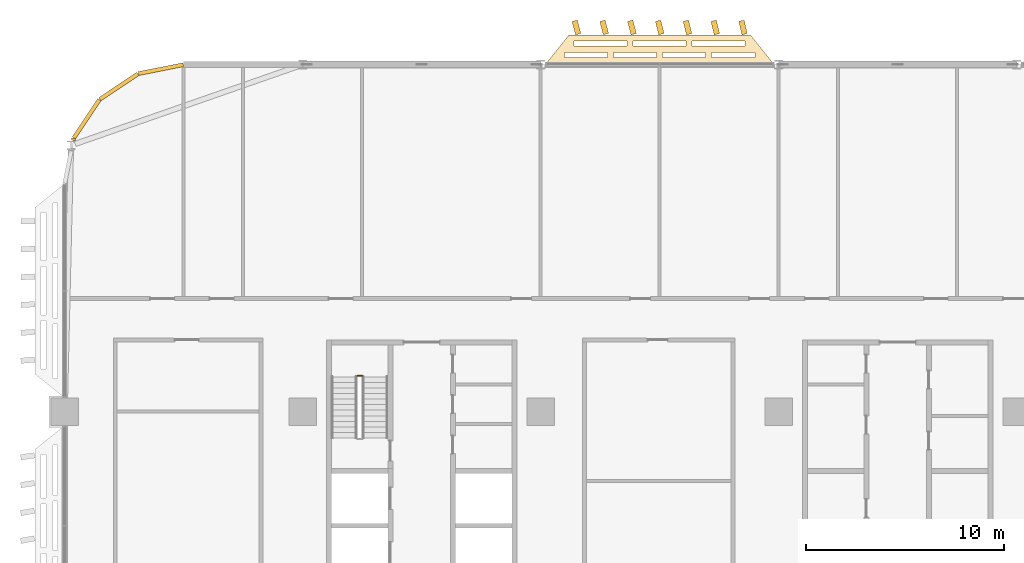
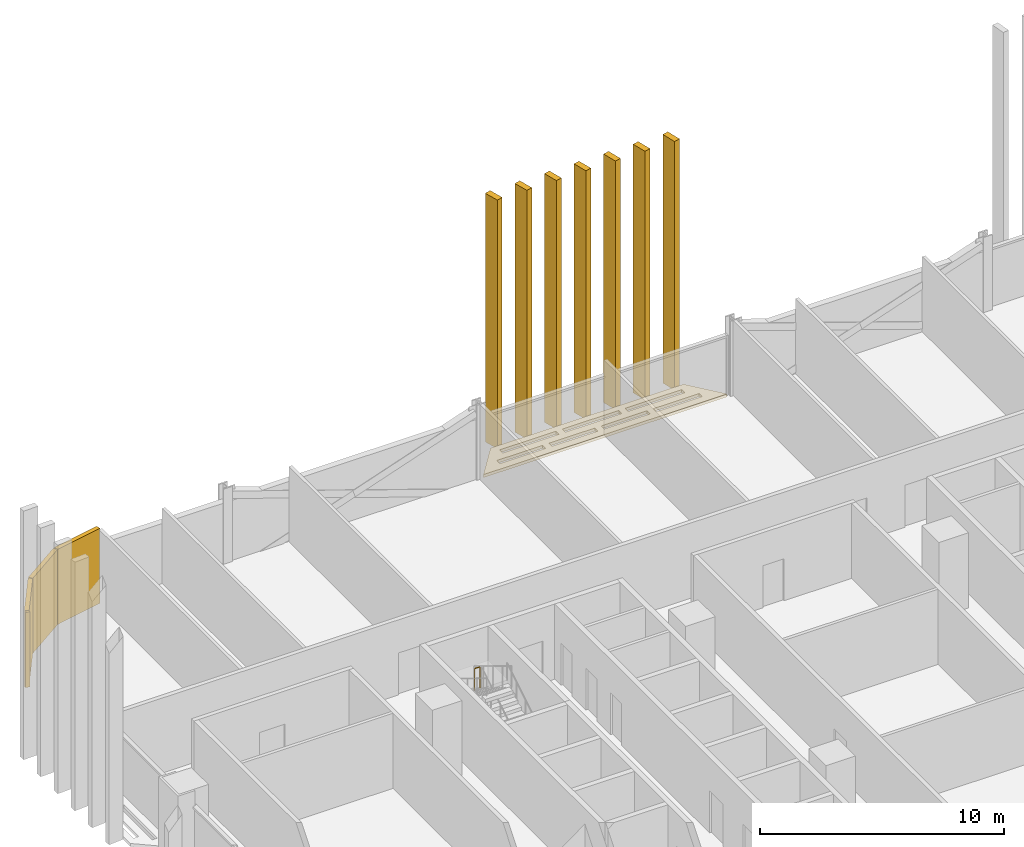
# One storey, part 27 of 31: 12 coverings, 1 railing.
"""IFC4 building model written with IfcOpenShell, lengths in metres."""

from ifc_helpers import new_model, si_unit, direction, frame, origin, origin_2d, place, context, subcontext, project, spatial, polyline, rectangle, circle, outline, extrude, material, layer, layer_set, type_object, element, save


model = new_model("IFC4")

# Units and contexts
model_context = context("Model", 3, precision=1e-05, world=origin(), true_north=direction((0.0, 1.0)))
body_context = subcontext(model_context, "Body", "Model", "MODEL_VIEW")
ifc_project = project(units=[si_unit("LENGTHUNIT", "METRE"), si_unit("AREAUNIT", "SQUARE_METRE"), si_unit("VOLUMEUNIT", "CUBIC_METRE"), si_unit("PLANEANGLEUNIT", "RADIAN"), si_unit("MASSUNIT", "GRAM", prefix="KILO")], contexts=[model_context])

# Site, building, storey
site_placement = place(None, origin())
site = spatial("IfcSite", under=ifc_project, at=site_placement, CompositionType="ELEMENT")
building_placement = place(site_placement, origin())
building = spatial("IfcBuilding", under=site, at=building_placement, Name="Mahtab Terrace Research Tower", CompositionType="ELEMENT")
storey_placement = place(building_placement, frame((0.0, 0.0, 101.199951171875)))
storey = spatial("IfcBuildingStorey", under=building, at=storey_placement, Name="L23", CompositionType="ELEMENT", Elevation=101.199951171875)

# Coverings
ifc_material_1 = material(Name="Black aluminium cladding panel", Category="aluminium")
ifc_layer_1 = layer(ifc_material_1, 0.199951171875)
ifc_layer_set_1 = layer_set([ifc_layer_1], Name="Black metal corner cladding 200")
covering_type_1 = type_object("IfcCoveringType", Name="Black metal corner cladding 200", PredefinedType="CLADDING", material=ifc_layer_set_1)
for number, where, z_axis, x_axis, name in (
    (1, (-37.14794921875, 28.771484375, 0.0), (0.0, 0.0, 1.0), (-0.980760981187, -0.195212442692, 0.0), "Corner cladding L23 11"),
    (2, (-39.26953125, 27.89306640625, 0.0), (0.0, 0.0, 1.0), (-0.831655794326, -0.555291490808, 0.0), "Corner cladding L23 12"),
    (3, (-40.89306640625, 26.26953125, 0.0), (0.0, 0.0, 1.0), (-0.555291490808, -0.831655794326, 0.0), "Corner cladding L23 13"),
):
    element("IfcCovering", number, at=place(storey_placement, frame(where, z_axis=z_axis, x_axis=x_axis)), inside=storey, type_object=covering_type_1, Name=name, PredefinedType="CLADDING", context=body_context, shape_type="SweptSolid", body=[
        extrude(rectangle(XDim=2.30126953125, YDim=0.199951171875, at=origin_2d()), origin(), (0.0, 0.0, 1.0), 3.760009765625),
    ])
covering_1_placement = place(storey_placement, frame((-41.5556640625, 25.231689453125, 0.0), z_axis=(0.0, 0.0, 1.0), x_axis=(-0.195212442692, -0.980760981187, 0.0)))
element("IfcCovering", 4, at=covering_1_placement, inside=storey, type_object=covering_type_1, Name="Corner cladding L23 14", PredefinedType="CLADDING", context=body_context, shape_type="SweptSolid", body=[
    extrude(rectangle(XDim=0.11083984375, YDim=0.199951171875, at=origin_2d()), origin(), (0.0, 0.0, 1.0), 3.760009765625),
])
ifc_material_2 = material(Name="Black anodised aluminium", Category="aluminium")
ifc_layer_2 = layer(ifc_material_2, 0.14990234375)
ifc_layer_set_2 = layer_set([ifc_layer_2], Name="Horizontal sunshade band")
covering_type_2 = type_object("IfcCoveringType", Name="Horizontal sunshade band", PredefinedType="CLADDING", material=ifc_layer_set_2)
covering_2_placement = place(storey_placement, frame((0.0, 0.0, -0.14990234375)))
element("IfcCovering", 5, at=covering_2_placement, inside=storey, type_object=covering_type_2, Name="Sunshade band L23 8", PredefinedType="CLADDING", context=body_context, shape_type="SweptSolid", body=[
    extrude(outline(polyline([(-6.22802734375, 29.0), (-17.77197265625, 29.0), (-16.572021484375, 30.5), (-7.427978515625, 30.5), (-6.22802734375, 29.0)]), holes=[polyline([(-7.2080078125, 29.35009765625), (-9.37890625, 29.35009765625), (-9.37890625, 29.60009765625), (-7.2080078125, 29.60009765625), (-7.2080078125, 29.35009765625)]), polyline([(-9.678955078125, 29.35009765625), (-11.85009765625, 29.35009765625), (-11.85009765625, 29.60009765625), (-9.678955078125, 29.60009765625), (-9.678955078125, 29.35009765625)]), polyline([(-12.14990234375, 29.35009765625), (-14.321044921875, 29.35009765625), (-14.321044921875, 29.60009765625), (-12.14990234375, 29.60009765625), (-12.14990234375, 29.35009765625)]), polyline([(-14.62109375, 29.35009765625), (-16.7919921875, 29.35009765625), (-16.7919921875, 29.60009765625), (-14.62109375, 29.60009765625), (-14.62109375, 29.35009765625)]), polyline([(-7.68798828125, 29.949951171875), (-10.363037109375, 29.949951171875), (-10.363037109375, 30.199951171875), (-7.68798828125, 30.199951171875), (-7.68798828125, 29.949951171875)]), polyline([(-10.6630859375, 29.949951171875), (-13.3369140625, 29.949951171875), (-13.3369140625, 30.199951171875), (-10.6630859375, 30.199951171875), (-10.6630859375, 29.949951171875)]), polyline([(-13.636962890625, 29.949951171875), (-16.31201171875, 29.949951171875), (-16.31201171875, 30.199951171875), (-13.636962890625, 30.199951171875), (-13.636962890625, 29.949951171875)])]), origin(), (0.0, 0.0, 1.0), 0.14990234375),
])

# Railing
ifc_material_3 = material(Name="Stainless steel AISI 304", Category="steel")
railing_type = type_object("IfcRailingType", Name="Stair guard 1100", PredefinedType="GUARDRAIL", material=ifc_material_3)
railing_placement = place(storey_placement, frame((-27.0, 13.304931640625, 2.050048828125)))
element("IfcRailing", 6, at=railing_placement, inside=storey, type_object=railing_type, Name="L23 ST1 stair guard 2", PredefinedType="GUARDRAIL", context=body_context, shape_type="SweptSolid", body=[
    extrude(circle(Radius=0.02392578125, at=origin_2d()), frame((0.0, 0.0, 1.076171875), z_axis=(-1.0, 0.0, 0.0), x_axis=(0.0, -1.0, 0.0)), (0.0, 0.0, 1.0), 0.25),
    extrude(circle(Radius=0.02099609375, at=origin_2d()), origin(), (0.0, 0.0, 1.0), 1.052001953125),
    extrude(circle(Radius=0.02099609375, at=origin_2d()), frame((-0.25, 0.0, 0.0)), (0.0, 0.0, 1.0), 1.052001953125),
])

# Coverings
ifc_material_4 = material(Name="Bronze anodised aluminium", Category="aluminium")
ifc_layer_3 = layer(ifc_material_4, 0.1201171875)
ifc_layer_set_3 = layer_set([ifc_layer_3], Name="Vertical fin 700")
covering_type_3 = type_object("IfcCoveringType", Name="Vertical fin 700", PredefinedType="CLADDING", material=ifc_layer_set_3)
for number, where, z_axis, x_axis, name in (
    (7, (-7.800048828125, 30.872802734375, -0.14990234375), (0.0, 0.0, 1.0), (-0.973236201459, -0.22980708468, 0.0), "Fin L23 N1"),
    (8, (-9.199951171875, 30.873046875, -0.14990234375), (0.0, 0.0, 1.0), (-0.971882775364, -0.235465222381, 0.0), "Fin L23 N2"),
    (9, (-10.60009765625, 30.87353515625, -0.14990234375), (0.0, 0.0, 1.0), (-0.970496454648, -0.24111539046, 0.0), "Fin L23 N3"),
    (10, (-12.0, 30.873779296875, -0.14990234375), (0.0, 0.0, 1.0), (-0.969077286228, -0.246757397695, 0.0), "Fin L23 N4"),
    (11, (-13.39990234375, 30.8740234375, -0.14990234375), (0.0, 0.0, 1.0), (-0.967625318147, -0.252391053092, 0.0), "Fin L23 N5"),
    (12, (-14.800048828125, 30.874267578125, -0.14990234375), (0.0, 0.0, 1.0), (-0.966140599544, -0.25801616599, 0.0), "Fin L23 N6"),
    (13, (-16.199951171875, 30.87451171875, -0.14990234375), (0.0, 0.0, 1.0), (-0.964623180667, -0.263632546017, 0.0), "Fin L23 N7"),
):
    element("IfcCovering", number, at=place(storey_placement, frame(where, z_axis=z_axis, x_axis=x_axis)), inside=storey, type_object=covering_type_3, Name=name, PredefinedType="CLADDING", context=body_context, shape_type="SweptSolid", body=[
        extrude(rectangle(XDim=0.280029296875, YDim=0.699951171875, at=origin_2d()), origin(), (0.0, 0.0, 1.0), 12.449951171875),
    ])

save(model, "model.ifc")
